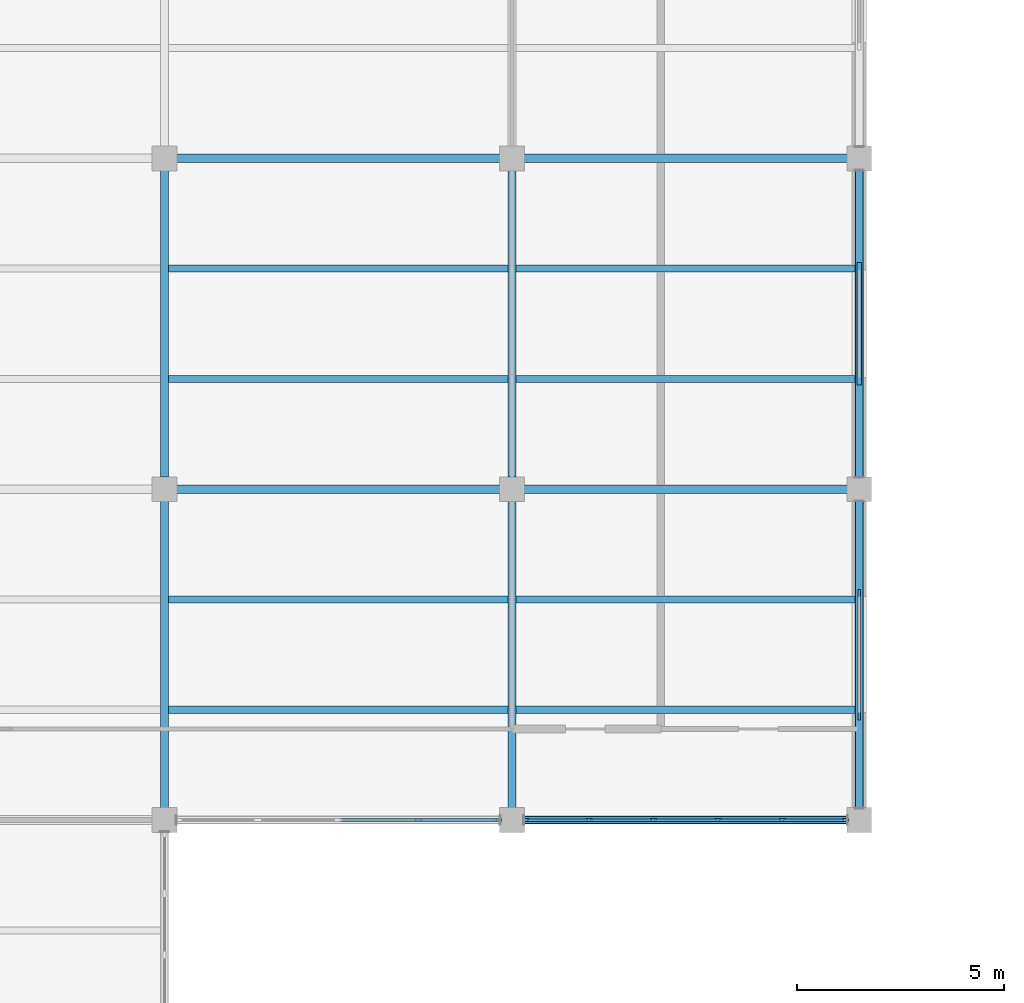
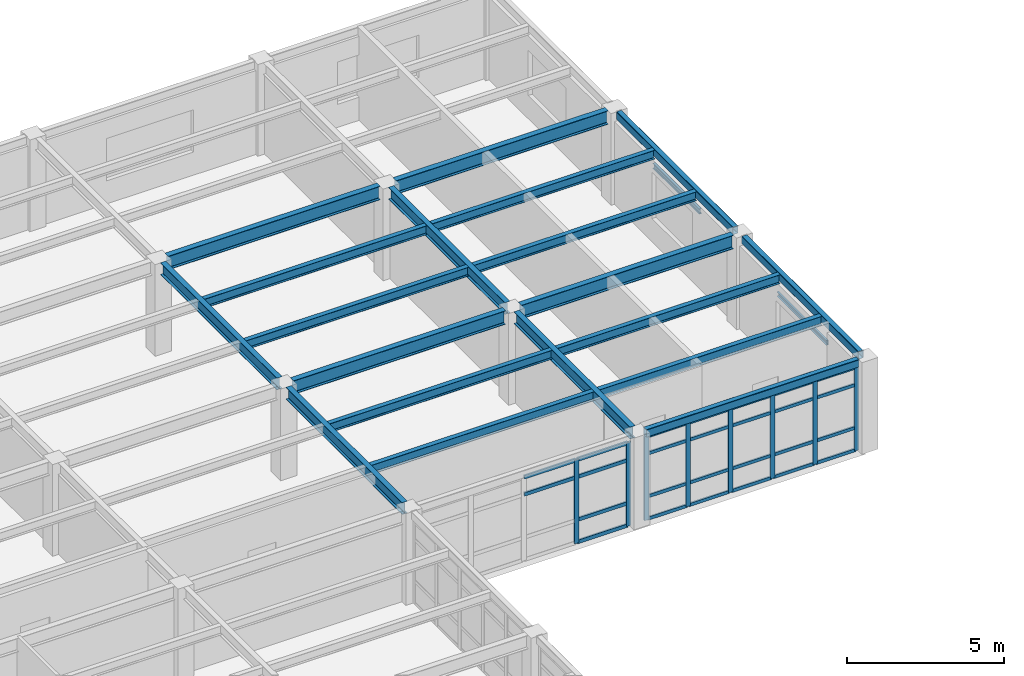
# One storey, part 24 of 96: 34 members, 21 beams, 2 elements without a shape of their own.
"""IFC4 building model written with IfcOpenShell, lengths in metres."""

from ifc_helpers import new_model, si_unit, direction, frame, origin, origin_2d, place, context, subcontext, project, spatial, rectangle, hollow_rectangle, i_section, u_section, extrude, material, layer, layer_set, material_profile, profile_set, type_object, element, aggregate, save


model = new_model("IFC4")

# Units and contexts
model_context = context("Model", 3, precision=1e-05, world=origin(), true_north=direction((0.0, 1.0)))
body_context = subcontext(model_context, "Body", "Model", "MODEL_VIEW")
ifc_project = project(units=[si_unit("LENGTHUNIT", "METRE"), si_unit("AREAUNIT", "SQUARE_METRE"), si_unit("VOLUMEUNIT", "CUBIC_METRE"), si_unit("PLANEANGLEUNIT", "RADIAN"), si_unit("MASSUNIT", "GRAM", prefix="KILO")], contexts=[model_context])

# Site, building, storey
site_placement = place(None, origin())
site = spatial("IfcSite", under=ifc_project, at=site_placement, CompositionType="ELEMENT")
building_placement = place(site_placement, origin())
building = spatial("IfcBuilding", under=site, at=building_placement, Name="Kranzveld Transit Interchange", CompositionType="ELEMENT")
storey_placement = place(building_placement, frame((0.0, 0.0, 9.52001953125)))
storey = spatial("IfcBuildingStorey", under=building, at=storey_placement, Name="L02", CompositionType="ELEMENT", Elevation=9.52001953125)

# Beams
ifc_material_1 = material(Name="Steel S355JR", Category="steel")
ifc_material_profile_1 = material_profile(ifc_material_1, i_section(OverallWidth=0.19189453125, OverallDepth=0.46337890625, WebThickness=0.010498046875, FlangeThickness=0.017578125, FilletRadius=0.01025390625, at=origin_2d()), Name="UB 457x191x89")
ifc_profile_set_1 = profile_set([ifc_material_profile_1], Name="Steel S355JR")
beam_type_1 = type_object("IfcBeamType", Name="Beam Steel UB 457x191x89 S355JR", PredefinedType="BEAM", material=ifc_profile_set_1)
for number, where, z_axis, x_axis, name in (
    (1, (33.60009765625, 88.2900390625, 3.33837890625), (0.0, 1.0, 0.0), (-1.0, 0.0, 0.0), "L02 Girder 05/M-N"),
    (2, (33.60009765625, 96.2900390625, 3.33837890625), (0.0, 1.0, 0.0), (-1.0, 0.0, 0.0), "L02 Girder 05/N-P"),
    (3, (42.0, 88.2900390625, 3.33837890625), (0.0, 1.0, 0.0), (-1.0, 0.0, 0.0), "L02 Girder 06/M-N"),
    (4, (42.0, 96.2900390625, 3.33837890625), (0.0, 1.0, 0.0), (-1.0, 0.0, 0.0), "L02 Girder 06/N-P"),
):
    element("IfcBeam", number, at=place(storey_placement, frame(where, z_axis=z_axis, x_axis=x_axis)), inside=storey, type_object=beam_type_1, Name=name, PredefinedType="BEAM", context=body_context, shape_type="SweptSolid", body=[
        extrude(i_section(OverallWidth=0.19189453125, OverallDepth=0.46337890625, WebThickness=0.010498046875, FlangeThickness=0.017578125, FilletRadius=0.01025390625, at=origin_2d()), origin(), (0.0, 0.0, 1.0), 7.419921875),
    ])

# Curtain wall, members
ifc_material_2 = material(Name="Bronze-anodised thermally broken aluminium", Category="aluminium")
ifc_layer_1 = layer(ifc_material_2, 0.155029296875)
ifc_layer_set_1 = layer_set([ifc_layer_1], Name="Bronze-anodised thermally broken aluminium")
curtain_wall_type_1 = type_object("IfcCurtainWallType", Name="Operations Courtyard Glazed Screen CW-6", PredefinedType="USERDEFINED", material=ifc_layer_set_1)
curtain_wall_1_placement = place(storey_placement, origin())
curtain_wall_1 = element("IfcCurtainWall", 5, at=curtain_wall_1_placement, inside=storey, type_object=curtain_wall_type_1, Name="L02 Curtain Wall 06/M-07/M", ObjectType="CURTAIN WALL", PredefinedType="USERDEFINED")
ifc_material_3 = material(Name="Bronze-anodised thermally broken aluminium", Category="aluminium")
ifc_material_profile_2 = material_profile(ifc_material_3, rectangle(XDim=0.06494140625, YDim=0.1650390625, at=origin_2d()), Name="ALU MULLION 65x165")
ifc_profile_set_2 = profile_set([ifc_material_profile_2], Name="Bronze-anodised thermally broken aluminium")
member_type_1 = type_object("IfcMemberType", Name="Curtain Wall Mullion 65x165 Alu", PredefinedType="MULLION", material=ifc_profile_set_2)
member_1_placement = place(storey_placement, frame((42.33251953125, 88.0, 0.0), z_axis=(0.0, 0.0, 1.0), x_axis=(0.0, 1.0, 0.0)))
member_1 = element("IfcMember", 6, at=member_1_placement, type_object=member_type_1, Name="CW-6 mullion 1", PredefinedType="MULLION", context=body_context, shape_type="SweptSolid", body=[
    extrude(rectangle(XDim=0.06494140625, YDim=0.1650390625, at=origin_2d()), origin(), (0.0, 0.0, 1.0), 3.27001953125),
])
member_2_placement = place(storey_placement, frame((43.860107421875, 88.0, 0.0), z_axis=(0.0, 0.0, 1.0), x_axis=(0.0, 1.0, 0.0)))
member_2 = element("IfcMember", 7, at=member_2_placement, type_object=member_type_1, Name="CW-6 mullion 2", PredefinedType="MULLION", context=body_context, shape_type="SweptSolid", body=[
    extrude(rectangle(XDim=0.06494140625, YDim=0.1650390625, at=origin_2d()), origin(), (0.0, 0.0, 1.0), 3.27001953125),
])
member_3_placement = place(storey_placement, frame((45.419921875, 88.0, 0.0), z_axis=(0.0, 0.0, 1.0), x_axis=(0.0, 1.0, 0.0)))
member_3 = element("IfcMember", 8, at=member_3_placement, type_object=member_type_1, Name="CW-6 mullion 3", PredefinedType="MULLION", context=body_context, shape_type="SweptSolid", body=[
    extrude(rectangle(XDim=0.06494140625, YDim=0.1650390625, at=origin_2d()), origin(), (0.0, 0.0, 1.0), 3.27001953125),
])
member_4_placement = place(storey_placement, frame((46.97998046875, 88.0, 0.0), z_axis=(0.0, 0.0, 1.0), x_axis=(0.0, 1.0, 0.0)))
member_4 = element("IfcMember", 9, at=member_4_placement, type_object=member_type_1, Name="CW-6 mullion 4", PredefinedType="MULLION", context=body_context, shape_type="SweptSolid", body=[
    extrude(rectangle(XDim=0.06494140625, YDim=0.1650390625, at=origin_2d()), origin(), (0.0, 0.0, 1.0), 3.27001953125),
])
member_5_placement = place(storey_placement, frame((48.5400390625, 88.0, 0.0), z_axis=(0.0, 0.0, 1.0), x_axis=(0.0, 1.0, 0.0)))
member_5 = element("IfcMember", 10, at=member_5_placement, type_object=member_type_1, Name="CW-6 mullion 5", PredefinedType="MULLION", context=body_context, shape_type="SweptSolid", body=[
    extrude(rectangle(XDim=0.06494140625, YDim=0.1650390625, at=origin_2d()), origin(), (0.0, 0.0, 1.0), 3.27001953125),
])
member_6_placement = place(storey_placement, frame((50.0673828125, 88.0, 0.0), z_axis=(0.0, 0.0, 1.0), x_axis=(0.0, 1.0, 0.0)))
member_6 = element("IfcMember", 11, at=member_6_placement, type_object=member_type_1, Name="CW-6 mullion 6", PredefinedType="MULLION", context=body_context, shape_type="SweptSolid", body=[
    extrude(rectangle(XDim=0.06494140625, YDim=0.1650390625, at=origin_2d()), origin(), (0.0, 0.0, 1.0), 3.27001953125),
])

ifc_material_4 = material(Name="Bronze-anodised thermally broken aluminium", Category="aluminium")
ifc_layer_2 = layer(ifc_material_4, 0.18505859375)
ifc_layer_set_2 = layer_set([ifc_layer_2], Name="Bronze-anodised thermally broken aluminium")
curtain_wall_type_2 = type_object("IfcCurtainWallType", Name="Control Crown Observation Facade CW-5", PredefinedType="USERDEFINED", material=ifc_layer_set_2)
curtain_wall_2_placement = place(storey_placement, origin())
curtain_wall_2 = element("IfcCurtainWall", 12, at=curtain_wall_2_placement, inside=storey, type_object=curtain_wall_type_2, Name="L02 Curtain Wall 05/M-06/M", ObjectType="CURTAIN WALL", PredefinedType="USERDEFINED")
ifc_material_5 = material(Name="Bronze-anodised thermally broken aluminium", Category="aluminium")
ifc_material_profile_3 = material_profile(ifc_material_5, rectangle(XDim=0.06494140625, YDim=0.179931640625, at=origin_2d()), Name="ALU MULLION 65x180")
ifc_profile_set_3 = profile_set([ifc_material_profile_3], Name="Bronze-anodised thermally broken aluminium")
member_type_2 = type_object("IfcMemberType", Name="Curtain Wall Mullion 65x180 Alu", PredefinedType="MULLION", material=ifc_profile_set_3)
member_7_placement = place(storey_placement, frame((39.75, 88.0, 0.0), z_axis=(0.0, 0.0, 1.0), x_axis=(0.0, 1.0, 0.0)))
member_7 = element("IfcMember", 13, at=member_7_placement, type_object=member_type_2, Name="CW-5 mullion 4", PredefinedType="MULLION", context=body_context, shape_type="SweptSolid", body=[
    extrude(rectangle(XDim=0.06494140625, YDim=0.179931640625, at=origin_2d()), origin(), (0.0, 0.0, 1.0), 3.27001953125),
])
member_8_placement = place(storey_placement, frame((41.66748046875, 88.0, 0.0), z_axis=(0.0, 0.0, 1.0), x_axis=(0.0, 1.0, 0.0)))
member_8 = element("IfcMember", 14, at=member_8_placement, type_object=member_type_2, Name="CW-5 mullion 5", PredefinedType="MULLION", context=body_context, shape_type="SweptSolid", body=[
    extrude(rectangle(XDim=0.06494140625, YDim=0.179931640625, at=origin_2d()), origin(), (0.0, 0.0, 1.0), 3.27001953125),
])

# Member
ifc_material_6 = material(Name="Bronze-anodised thermally broken aluminium", Category="aluminium")
ifc_material_profile_4 = material_profile(ifc_material_6, rectangle(XDim=0.06005859375, YDim=0.125, at=origin_2d()), Name="ALU TRANSOM 60x125")
ifc_profile_set_4 = profile_set([ifc_material_profile_4], Name="Bronze-anodised thermally broken aluminium")
member_type_3 = type_object("IfcMemberType", Name="Curtain Wall Transom 60x125 Alu", PredefinedType="USERDEFINED", material=ifc_profile_set_4)
member_9_placement = place(storey_placement, frame((42.364990234375, 88.0, 0.030029296875), z_axis=(1.0, 0.0, 0.0), x_axis=(0.0, 1.0, 0.0)))
member_9 = element("IfcMember", 15, at=member_9_placement, type_object=member_type_3, Name="CW-6 transom 1.1", ObjectType="TRANSOM", PredefinedType="USERDEFINED", context=body_context, shape_type="SweptSolid", body=[
    extrude(rectangle(XDim=0.06005859375, YDim=0.125, at=origin_2d()), origin(), (0.0, 0.0, 1.0), 1.46240234375),
])

member_10_placement = place(storey_placement, frame((42.364990234375, 88.0, 0.89990234375), z_axis=(1.0, 0.0, 0.0), x_axis=(0.0, 1.0, 0.0)))
member_10 = element("IfcMember", 16, at=member_10_placement, type_object=member_type_3, Name="CW-6 transom 1.2", ObjectType="TRANSOM", PredefinedType="USERDEFINED", context=body_context, shape_type="SweptSolid", body=[
    extrude(rectangle(XDim=0.06005859375, YDim=0.125, at=origin_2d()), origin(), (0.0, 0.0, 1.0), 1.46240234375),
])

member_11_placement = place(storey_placement, frame((42.364990234375, 88.0, 2.570068359375), z_axis=(1.0, 0.0, 0.0), x_axis=(0.0, 1.0, 0.0)))
member_11 = element("IfcMember", 17, at=member_11_placement, type_object=member_type_3, Name="CW-6 transom 1.3", ObjectType="TRANSOM", PredefinedType="USERDEFINED", context=body_context, shape_type="SweptSolid", body=[
    extrude(rectangle(XDim=0.06005859375, YDim=0.125, at=origin_2d()), origin(), (0.0, 0.0, 1.0), 1.46240234375),
])

member_12_placement = place(storey_placement, frame((42.364990234375, 88.0, 3.239990234375), z_axis=(1.0, 0.0, 0.0), x_axis=(0.0, 1.0, 0.0)))
member_12 = element("IfcMember", 18, at=member_12_placement, type_object=member_type_3, Name="CW-6 transom 1.4", ObjectType="TRANSOM", PredefinedType="USERDEFINED", context=body_context, shape_type="SweptSolid", body=[
    extrude(rectangle(XDim=0.06005859375, YDim=0.125, at=origin_2d()), origin(), (0.0, 0.0, 1.0), 1.46240234375),
])

member_13_placement = place(storey_placement, frame((43.892578125, 88.0, 0.030029296875), z_axis=(1.0, 0.0, 0.0), x_axis=(0.0, 1.0, 0.0)))
member_13 = element("IfcMember", 19, at=member_13_placement, type_object=member_type_3, Name="CW-6 transom 2.1", ObjectType="TRANSOM", PredefinedType="USERDEFINED", context=body_context, shape_type="SweptSolid", body=[
    extrude(rectangle(XDim=0.06005859375, YDim=0.125, at=origin_2d()), origin(), (0.0, 0.0, 1.0), 1.494873046875),
])

member_14_placement = place(storey_placement, frame((43.892578125, 88.0, 0.89990234375), z_axis=(1.0, 0.0, 0.0), x_axis=(0.0, 1.0, 0.0)))
member_14 = element("IfcMember", 20, at=member_14_placement, type_object=member_type_3, Name="CW-6 transom 2.2", ObjectType="TRANSOM", PredefinedType="USERDEFINED", context=body_context, shape_type="SweptSolid", body=[
    extrude(rectangle(XDim=0.06005859375, YDim=0.125, at=origin_2d()), origin(), (0.0, 0.0, 1.0), 1.494873046875),
])

member_15_placement = place(storey_placement, frame((43.892578125, 88.0, 2.570068359375), z_axis=(1.0, 0.0, 0.0), x_axis=(0.0, 1.0, 0.0)))
member_15 = element("IfcMember", 21, at=member_15_placement, type_object=member_type_3, Name="CW-6 transom 2.3", ObjectType="TRANSOM", PredefinedType="USERDEFINED", context=body_context, shape_type="SweptSolid", body=[
    extrude(rectangle(XDim=0.06005859375, YDim=0.125, at=origin_2d()), origin(), (0.0, 0.0, 1.0), 1.494873046875),
])

member_16_placement = place(storey_placement, frame((43.892578125, 88.0, 3.239990234375), z_axis=(1.0, 0.0, 0.0), x_axis=(0.0, 1.0, 0.0)))
member_16 = element("IfcMember", 22, at=member_16_placement, type_object=member_type_3, Name="CW-6 transom 2.4", ObjectType="TRANSOM", PredefinedType="USERDEFINED", context=body_context, shape_type="SweptSolid", body=[
    extrude(rectangle(XDim=0.06005859375, YDim=0.125, at=origin_2d()), origin(), (0.0, 0.0, 1.0), 1.494873046875),
])

member_17_placement = place(storey_placement, frame((45.452392578125, 88.0, 0.030029296875), z_axis=(1.0, 0.0, 0.0), x_axis=(0.0, 1.0, 0.0)))
member_17 = element("IfcMember", 23, at=member_17_placement, type_object=member_type_3, Name="CW-6 transom 3.1", ObjectType="TRANSOM", PredefinedType="USERDEFINED", context=body_context, shape_type="SweptSolid", body=[
    extrude(rectangle(XDim=0.06005859375, YDim=0.125, at=origin_2d()), origin(), (0.0, 0.0, 1.0), 1.4951171875),
])

member_18_placement = place(storey_placement, frame((45.452392578125, 88.0, 0.89990234375), z_axis=(1.0, 0.0, 0.0), x_axis=(0.0, 1.0, 0.0)))
member_18 = element("IfcMember", 24, at=member_18_placement, type_object=member_type_3, Name="CW-6 transom 3.2", ObjectType="TRANSOM", PredefinedType="USERDEFINED", context=body_context, shape_type="SweptSolid", body=[
    extrude(rectangle(XDim=0.06005859375, YDim=0.125, at=origin_2d()), origin(), (0.0, 0.0, 1.0), 1.4951171875),
])

member_19_placement = place(storey_placement, frame((45.452392578125, 88.0, 2.570068359375), z_axis=(1.0, 0.0, 0.0), x_axis=(0.0, 1.0, 0.0)))
member_19 = element("IfcMember", 25, at=member_19_placement, type_object=member_type_3, Name="CW-6 transom 3.3", ObjectType="TRANSOM", PredefinedType="USERDEFINED", context=body_context, shape_type="SweptSolid", body=[
    extrude(rectangle(XDim=0.06005859375, YDim=0.125, at=origin_2d()), origin(), (0.0, 0.0, 1.0), 1.4951171875),
])

member_20_placement = place(storey_placement, frame((45.452392578125, 88.0, 3.239990234375), z_axis=(1.0, 0.0, 0.0), x_axis=(0.0, 1.0, 0.0)))
member_20 = element("IfcMember", 26, at=member_20_placement, type_object=member_type_3, Name="CW-6 transom 3.4", ObjectType="TRANSOM", PredefinedType="USERDEFINED", context=body_context, shape_type="SweptSolid", body=[
    extrude(rectangle(XDim=0.06005859375, YDim=0.125, at=origin_2d()), origin(), (0.0, 0.0, 1.0), 1.4951171875),
])

member_21_placement = place(storey_placement, frame((47.012451171875, 88.0, 0.030029296875), z_axis=(1.0, 0.0, 0.0), x_axis=(0.0, 1.0, 0.0)))
member_21 = element("IfcMember", 27, at=member_21_placement, type_object=member_type_3, Name="CW-6 transom 4.1", ObjectType="TRANSOM", PredefinedType="USERDEFINED", context=body_context, shape_type="SweptSolid", body=[
    extrude(rectangle(XDim=0.06005859375, YDim=0.125, at=origin_2d()), origin(), (0.0, 0.0, 1.0), 1.4951171875),
])

member_22_placement = place(storey_placement, frame((47.012451171875, 88.0, 0.89990234375), z_axis=(1.0, 0.0, 0.0), x_axis=(0.0, 1.0, 0.0)))
member_22 = element("IfcMember", 28, at=member_22_placement, type_object=member_type_3, Name="CW-6 transom 4.2", ObjectType="TRANSOM", PredefinedType="USERDEFINED", context=body_context, shape_type="SweptSolid", body=[
    extrude(rectangle(XDim=0.06005859375, YDim=0.125, at=origin_2d()), origin(), (0.0, 0.0, 1.0), 1.4951171875),
])

member_23_placement = place(storey_placement, frame((47.012451171875, 88.0, 2.570068359375), z_axis=(1.0, 0.0, 0.0), x_axis=(0.0, 1.0, 0.0)))
member_23 = element("IfcMember", 29, at=member_23_placement, type_object=member_type_3, Name="CW-6 transom 4.3", ObjectType="TRANSOM", PredefinedType="USERDEFINED", context=body_context, shape_type="SweptSolid", body=[
    extrude(rectangle(XDim=0.06005859375, YDim=0.125, at=origin_2d()), origin(), (0.0, 0.0, 1.0), 1.4951171875),
])

member_24_placement = place(storey_placement, frame((47.012451171875, 88.0, 3.239990234375), z_axis=(1.0, 0.0, 0.0), x_axis=(0.0, 1.0, 0.0)))
member_24 = element("IfcMember", 30, at=member_24_placement, type_object=member_type_3, Name="CW-6 transom 4.4", ObjectType="TRANSOM", PredefinedType="USERDEFINED", context=body_context, shape_type="SweptSolid", body=[
    extrude(rectangle(XDim=0.06005859375, YDim=0.125, at=origin_2d()), origin(), (0.0, 0.0, 1.0), 1.4951171875),
])

member_25_placement = place(storey_placement, frame((48.572509765625, 88.0, 0.030029296875), z_axis=(1.0, 0.0, 0.0), x_axis=(0.0, 1.0, 0.0)))
member_25 = element("IfcMember", 31, at=member_25_placement, type_object=member_type_3, Name="CW-6 transom 5.1", ObjectType="TRANSOM", PredefinedType="USERDEFINED", context=body_context, shape_type="SweptSolid", body=[
    extrude(rectangle(XDim=0.06005859375, YDim=0.125, at=origin_2d()), origin(), (0.0, 0.0, 1.0), 1.46240234375),
])

member_26_placement = place(storey_placement, frame((48.572509765625, 88.0, 0.89990234375), z_axis=(1.0, 0.0, 0.0), x_axis=(0.0, 1.0, 0.0)))
member_26 = element("IfcMember", 32, at=member_26_placement, type_object=member_type_3, Name="CW-6 transom 5.2", ObjectType="TRANSOM", PredefinedType="USERDEFINED", context=body_context, shape_type="SweptSolid", body=[
    extrude(rectangle(XDim=0.06005859375, YDim=0.125, at=origin_2d()), origin(), (0.0, 0.0, 1.0), 1.46240234375),
])

member_27_placement = place(storey_placement, frame((48.572509765625, 88.0, 2.570068359375), z_axis=(1.0, 0.0, 0.0), x_axis=(0.0, 1.0, 0.0)))
member_27 = element("IfcMember", 33, at=member_27_placement, type_object=member_type_3, Name="CW-6 transom 5.3", ObjectType="TRANSOM", PredefinedType="USERDEFINED", context=body_context, shape_type="SweptSolid", body=[
    extrude(rectangle(XDim=0.06005859375, YDim=0.125, at=origin_2d()), origin(), (0.0, 0.0, 1.0), 1.46240234375),
])

member_28_placement = place(storey_placement, frame((48.572509765625, 88.0, 3.239990234375), z_axis=(1.0, 0.0, 0.0), x_axis=(0.0, 1.0, 0.0)))
member_28 = element("IfcMember", 34, at=member_28_placement, type_object=member_type_3, Name="CW-6 transom 5.4", ObjectType="TRANSOM", PredefinedType="USERDEFINED", context=body_context, shape_type="SweptSolid", body=[
    extrude(rectangle(XDim=0.06005859375, YDim=0.125, at=origin_2d()), origin(), (0.0, 0.0, 1.0), 1.46240234375),
])

aggregate(curtain_wall_1, [member_1, member_2, member_3, member_4, member_5, member_6, member_9, member_10, member_11, member_12, member_13, member_14, member_15, member_16, member_17, member_18, member_19, member_20, member_21, member_22, member_23, member_24, member_25, member_26, member_27, member_28])

ifc_material_7 = material(Name="Bronze-anodised thermally broken aluminium", Category="aluminium")
ifc_material_profile_5 = material_profile(ifc_material_7, rectangle(XDim=0.06494140625, YDim=0.139892578125, at=origin_2d()), Name="ALU TRANSOM 65x140")
ifc_profile_set_5 = profile_set([ifc_material_profile_5], Name="Bronze-anodised thermally broken aluminium")
member_type_4 = type_object("IfcMemberType", Name="Curtain Wall Transom 65x140 Alu", PredefinedType="USERDEFINED", material=ifc_profile_set_5)
member_29_placement = place(storey_placement, frame((37.83251953125, 88.0, 2.570068359375), z_axis=(1.0, 0.0, 0.0), x_axis=(0.0, 1.0, 0.0)))
member_29 = element("IfcMember", 35, at=member_29_placement, type_object=member_type_4, Name="CW-5 transom 3.3", ObjectType="TRANSOM", PredefinedType="USERDEFINED", context=body_context, shape_type="SweptSolid", body=[
    extrude(rectangle(XDim=0.06494140625, YDim=0.139892578125, at=origin_2d()), origin(), (0.0, 0.0, 1.0), 1.885009765625),
])

member_30_placement = place(storey_placement, frame((37.83251953125, 88.0, 3.237548828125), z_axis=(1.0, 0.0, 0.0), x_axis=(0.0, 1.0, 0.0)))
member_30 = element("IfcMember", 36, at=member_30_placement, type_object=member_type_4, Name="CW-5 transom 3.4", ObjectType="TRANSOM", PredefinedType="USERDEFINED", context=body_context, shape_type="SweptSolid", body=[
    extrude(rectangle(XDim=0.06494140625, YDim=0.139892578125, at=origin_2d()), origin(), (0.0, 0.0, 1.0), 1.885009765625),
])

member_31_placement = place(storey_placement, frame((39.782470703125, 88.0, 0.032470703125), z_axis=(1.0, 0.0, 0.0), x_axis=(0.0, 1.0, 0.0)))
member_31 = element("IfcMember", 37, at=member_31_placement, type_object=member_type_4, Name="CW-5 transom 4.1", ObjectType="TRANSOM", PredefinedType="USERDEFINED", context=body_context, shape_type="SweptSolid", body=[
    extrude(rectangle(XDim=0.06494140625, YDim=0.139892578125, at=origin_2d()), origin(), (0.0, 0.0, 1.0), 1.8525390625),
])

member_32_placement = place(storey_placement, frame((39.782470703125, 88.0, 0.89990234375), z_axis=(1.0, 0.0, 0.0), x_axis=(0.0, 1.0, 0.0)))
member_32 = element("IfcMember", 38, at=member_32_placement, type_object=member_type_4, Name="CW-5 transom 4.2", ObjectType="TRANSOM", PredefinedType="USERDEFINED", context=body_context, shape_type="SweptSolid", body=[
    extrude(rectangle(XDim=0.06494140625, YDim=0.139892578125, at=origin_2d()), origin(), (0.0, 0.0, 1.0), 1.8525390625),
])

member_33_placement = place(storey_placement, frame((39.782470703125, 88.0, 2.570068359375), z_axis=(1.0, 0.0, 0.0), x_axis=(0.0, 1.0, 0.0)))
member_33 = element("IfcMember", 39, at=member_33_placement, type_object=member_type_4, Name="CW-5 transom 4.3", ObjectType="TRANSOM", PredefinedType="USERDEFINED", context=body_context, shape_type="SweptSolid", body=[
    extrude(rectangle(XDim=0.06494140625, YDim=0.139892578125, at=origin_2d()), origin(), (0.0, 0.0, 1.0), 1.8525390625),
])

member_34_placement = place(storey_placement, frame((39.782470703125, 88.0, 3.237548828125), z_axis=(1.0, 0.0, 0.0), x_axis=(0.0, 1.0, 0.0)))
member_34 = element("IfcMember", 40, at=member_34_placement, type_object=member_type_4, Name="CW-5 transom 4.4", ObjectType="TRANSOM", PredefinedType="USERDEFINED", context=body_context, shape_type="SweptSolid", body=[
    extrude(rectangle(XDim=0.06494140625, YDim=0.139892578125, at=origin_2d()), origin(), (0.0, 0.0, 1.0), 1.8525390625),
])

aggregate(curtain_wall_2, [member_7, member_8, member_29, member_30, member_31, member_32, member_33, member_34])

# Beams
ifc_material_8 = material(Name="Steel S355JR", Category="steel")
ifc_material_profile_6 = material_profile(ifc_material_8, hollow_rectangle(XDim=0.199951171875, YDim=0.300048828125, WallThickness=0.010009765625, InnerFilletRadius=0.014892578125, OuterFilletRadius=0.02490234375, at=origin_2d()), Name="RHS 300x200x10")
ifc_profile_set_6 = profile_set([ifc_material_profile_6], Name="Steel S355JR")
beam_type_2 = type_object("IfcBeamType", Name="Edge Spandrel RHS 300x200x10 S355JR", PredefinedType="SPANDREL", material=ifc_profile_set_6)
beam_1_placement = place(storey_placement, frame((42.2900390625, 88.0, 3.419921875), z_axis=(1.0, 0.0, 0.0), x_axis=(0.0, 1.0, 0.0)))
element("IfcBeam", 41, at=beam_1_placement, inside=storey, type_object=beam_type_2, Name="L02 Girder 06-07/M", PredefinedType="SPANDREL", context=body_context, shape_type="SweptSolid", body=[
    extrude(hollow_rectangle(XDim=0.199951171875, YDim=0.300048828125, WallThickness=0.010009765625, InnerFilletRadius=0.014892578125, OuterFilletRadius=0.02490234375, at=origin_2d()), origin(), (0.0, 0.0, 1.0), 7.820068359375),
])
for number, where, z_axis, x_axis, name in (
    (42, (50.39990234375, 88.2900390625, 3.419921875), (0.0, 1.0, 0.0), (-1.0, 0.0, 0.0), "L02 Girder 07/M-N"),
    (43, (50.39990234375, 96.2900390625, 3.419921875), (0.0, 1.0, 0.0), (-1.0, 0.0, 0.0), "L02 Girder 07/N-P"),
):
    element("IfcBeam", number, at=place(storey_placement, frame(where, z_axis=z_axis, x_axis=x_axis)), inside=storey, type_object=beam_type_2, Name=name, PredefinedType="SPANDREL", context=body_context, shape_type="SweptSolid", body=[
        extrude(hollow_rectangle(XDim=0.199951171875, YDim=0.300048828125, WallThickness=0.010009765625, InnerFilletRadius=0.014892578125, OuterFilletRadius=0.02490234375, at=origin_2d()), origin(), (0.0, 0.0, 1.0), 7.419921875),
    ])
ifc_material_9 = material(Name="Steel S355JR", Category="steel")
ifc_material_profile_7 = material_profile(ifc_material_9, i_section(OverallWidth=0.171142578125, OverallDepth=0.351318359375, WebThickness=0.007080078125, FlangeThickness=0.009765625, FilletRadius=0.01025390625, at=origin_2d()), Name="UB 356x171x45")
ifc_profile_set_7 = profile_set([ifc_material_profile_7], Name="Steel S355JR")
beam_type_3 = type_object("IfcBeamType", Name="Floor Joist UB 356x171x45 S355JR", PredefinedType="JOIST", material=ifc_profile_set_7)
for number, where, z_axis, x_axis, name in (
    (44, (33.697998046875, 90.666748046875, 3.394287109375), (1.0, 0.0, 0.0), (0.0, 1.0, 0.0), "L02 Secondary Joist 05-06/M.1"),
    (45, (33.697998046875, 93.333251953125, 3.394287109375), (1.0, 0.0, 0.0), (0.0, 1.0, 0.0), "L02 Secondary Joist 05-06/M.2"),
    (46, (33.697998046875, 98.666748046875, 3.394287109375), (1.0, 0.0, 0.0), (0.0, 1.0, 0.0), "L02 Secondary Joist 05-06/N.1"),
    (47, (33.697998046875, 101.333251953125, 3.394287109375), (1.0, 0.0, 0.0), (0.0, 1.0, 0.0), "L02 Secondary Joist 05-06/N.2"),
):
    element("IfcBeam", number, at=place(storey_placement, frame(where, z_axis=z_axis, x_axis=x_axis)), inside=storey, type_object=beam_type_3, Name=name, PredefinedType="JOIST", context=body_context, shape_type="SweptSolid", body=[
        extrude(i_section(OverallWidth=0.171142578125, OverallDepth=0.351318359375, WebThickness=0.007080078125, FlangeThickness=0.009765625, FilletRadius=0.01025390625, at=origin_2d()), origin(), (0.0, 0.0, 1.0), 8.2041015625),
    ])
for number, where, z_axis, x_axis, name in (
    (48, (42.097900390625, 90.666748046875, 3.394287109375), (1.0, 0.0, 0.0), (0.0, 1.0, 0.0), "L02 Secondary Joist 06-07/M.1"),
    (49, (42.097900390625, 93.333251953125, 3.394287109375), (1.0, 0.0, 0.0), (0.0, 1.0, 0.0), "L02 Secondary Joist 06-07/M.2"),
    (50, (42.097900390625, 98.666748046875, 3.394287109375), (1.0, 0.0, 0.0), (0.0, 1.0, 0.0), "L02 Secondary Joist 06-07/N.1"),
    (51, (42.097900390625, 101.333251953125, 3.394287109375), (1.0, 0.0, 0.0), (0.0, 1.0, 0.0), "L02 Secondary Joist 06-07/N.2"),
):
    element("IfcBeam", number, at=place(storey_placement, frame(where, z_axis=z_axis, x_axis=x_axis)), inside=storey, type_object=beam_type_3, Name=name, PredefinedType="JOIST", context=body_context, shape_type="SweptSolid", body=[
        extrude(i_section(OverallWidth=0.171142578125, OverallDepth=0.351318359375, WebThickness=0.007080078125, FlangeThickness=0.009765625, FilletRadius=0.01025390625, at=origin_2d()), origin(), (0.0, 0.0, 1.0), 8.2001953125),
    ])
ifc_material_10 = material(Name="Steel S355JR", Category="steel")
ifc_material_profile_8 = material_profile(ifc_material_10, i_section(OverallWidth=0.209228515625, OverallDepth=0.533203125, WebThickness=0.010009765625, FlangeThickness=0.015625, FilletRadius=0.0126953125, at=origin_2d()), Name="UB 533x210x92")
ifc_profile_set_8 = profile_set([ifc_material_profile_8], Name="Steel S355JR")
beam_type_4 = type_object("IfcBeamType", Name="Girder Steel UB 533x210x92 S355JR", PredefinedType="BEAM", material=ifc_profile_set_8)
for number, where, z_axis, x_axis, name in (
    (52, (33.889892578125, 96.0, 3.303466796875), (1.0, 0.0, 0.0), (0.0, 1.0, 0.0), "L02 Girder 05-06/N"),
    (53, (42.2900390625, 96.0, 3.303466796875), (1.0, 0.0, 0.0), (0.0, 1.0, 0.0), "L02 Girder 06-07/N"),
    (54, (33.889892578125, 104.0, 3.303466796875), (1.0, 0.0, 0.0), (0.0, 1.0, 0.0), "L02 Girder 05-06/P"),
    (55, (42.2900390625, 104.0, 3.303466796875), (1.0, 0.0, 0.0), (0.0, 1.0, 0.0), "L02 Girder 06-07/P"),
):
    element("IfcBeam", number, at=place(storey_placement, frame(where, z_axis=z_axis, x_axis=x_axis)), inside=storey, type_object=beam_type_4, Name=name, PredefinedType="BEAM", context=body_context, shape_type="SweptSolid", body=[
        extrude(i_section(OverallWidth=0.209228515625, OverallDepth=0.533203125, WebThickness=0.010009765625, FlangeThickness=0.015625, FilletRadius=0.0126953125, at=origin_2d()), origin(), (0.0, 0.0, 1.0), 7.820068359375),
    ])
ifc_material_11 = material(Name="Steel S355JR", Category="steel")
ifc_material_profile_9 = material_profile(ifc_material_11, u_section(Depth=0.179931640625, FlangeWidth=0.070068359375, WebThickness=0.007080078125, FlangeThickness=0.010986328125, FilletRadius=0.010009765625, at=origin_2d()), Name="PFC 180x70x22")
ifc_profile_set_9 = profile_set([ifc_material_profile_9], Name="Steel S355JR")
beam_type_5 = type_object("IfcBeamType", Name="Masonry Lintel PFC 180x70x22 S355JR", PredefinedType="LINTEL", material=ifc_profile_set_9)
beam_2_placement = place(storey_placement, frame((50.39990234375, 90.419921875, 2.594970703125), z_axis=(0.0, 1.0, 0.0), x_axis=(-1.0, 0.0, 0.0)))
element("IfcBeam", 56, at=beam_2_placement, inside=storey, type_object=beam_type_5, Name="L02 Window Lintel 145", PredefinedType="LINTEL", context=body_context, shape_type="SweptSolid", body=[
    extrude(u_section(Depth=0.179931640625, FlangeWidth=0.070068359375, WebThickness=0.007080078125, FlangeThickness=0.010986328125, FilletRadius=0.010009765625, at=origin_2d()), origin(), (0.0, 0.0, 1.0), 3.16015625),
])
ifc_material_12 = material(Name="Steel S355JR", Category="steel")
ifc_material_profile_10 = material_profile(ifc_material_12, i_section(OverallWidth=0.10009765625, OverallDepth=0.199951171875, WebThickness=0.005615234375, FlangeThickness=0.008544921875, FilletRadius=0.011962890625, at=origin_2d()), Name="IPE 200")
ifc_profile_set_10 = profile_set([ifc_material_profile_10], Name="Steel S355JR")
beam_type_6 = type_object("IfcBeamType", Name="Opening Lintel IPE 200 S355JR", PredefinedType="LINTEL", material=ifc_profile_set_10)
beam_3_placement = place(storey_placement, frame((50.39990234375, 98.52001953125, 2.804931640625), z_axis=(0.0, 1.0, 0.0), x_axis=(-1.0, 0.0, 0.0)))
element("IfcBeam", 57, at=beam_3_placement, inside=storey, type_object=beam_type_6, Name="L02 Window Lintel 146", PredefinedType="LINTEL", context=body_context, shape_type="SweptSolid", body=[
    extrude(i_section(OverallWidth=0.10009765625, OverallDepth=0.199951171875, WebThickness=0.005615234375, FlangeThickness=0.008544921875, FilletRadius=0.011962890625, at=origin_2d()), origin(), (0.0, 0.0, 1.0), 2.9599609375),
])

save(model, "model.ifc")
